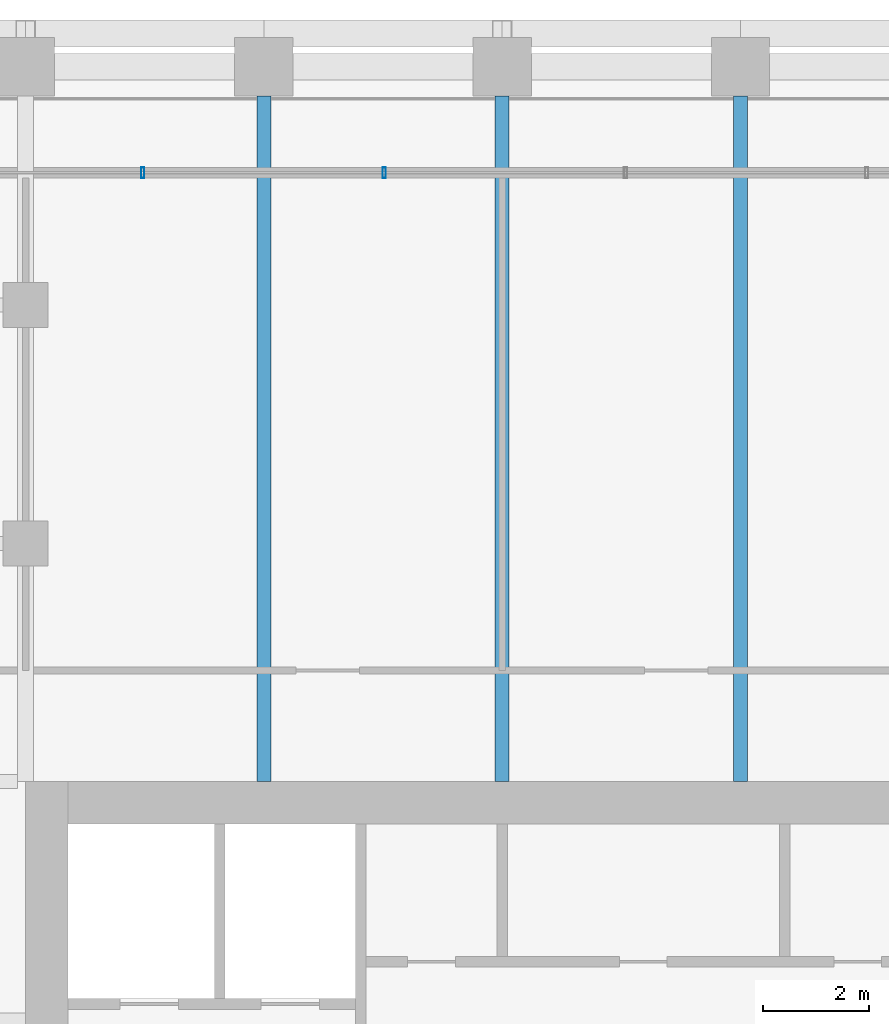
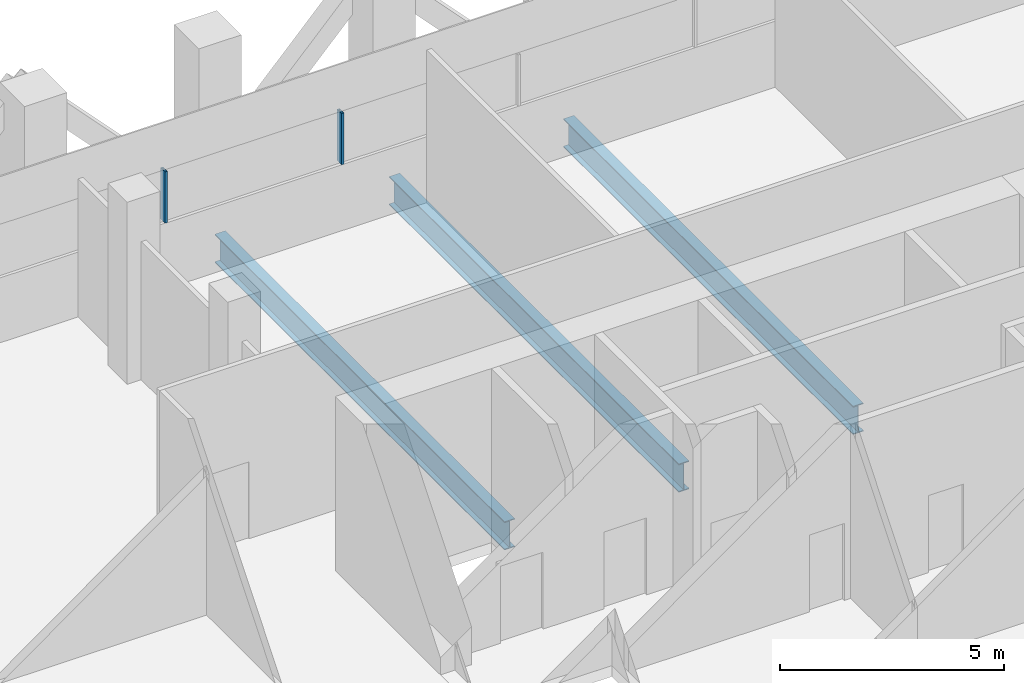
# One storey, part 19 of 44: 3 beams, 2 members, 1 element without a shape of its own.
"""IFC4 building model written with IfcOpenShell, lengths in metres."""

from ifc_helpers import new_model, si_unit, direction, frame, origin, origin_2d, place, context, subcontext, project, spatial, hollow_rectangle, i_section, extrude, material, material_profile, profile_set, type_object, element, aggregate, save


model = new_model("IFC4")

# Units and contexts
model_context = context("Model", 3, precision=1e-05, world=origin(), true_north=direction((0.0, 1.0)))
body_context = subcontext(model_context, "Body", "Model", "MODEL_VIEW")
ifc_project = project(units=[si_unit("LENGTHUNIT", "METRE"), si_unit("AREAUNIT", "SQUARE_METRE"), si_unit("VOLUMEUNIT", "CUBIC_METRE"), si_unit("PLANEANGLEUNIT", "RADIAN"), si_unit("MASSUNIT", "GRAM", prefix="KILO")], contexts=[model_context])

# Site, building, storey
site_placement = place(None, origin())
site = spatial("IfcSite", under=ifc_project, at=site_placement, CompositionType="ELEMENT")
building_placement = place(site_placement, origin())
building = spatial("IfcBuilding", under=site, at=building_placement, Name="Altepetl Exchange Towers", CompositionType="ELEMENT")
storey_placement = place(building_placement, frame((0.0, 0.0, 87.0)))
storey = spatial("IfcBuildingStorey", under=building, at=storey_placement, Name="L21 Refuge", CompositionType="ELEMENT", Elevation=87.0)

# Beams
ifc_material_1 = material(Name="Steel S355", Category="steel")
ifc_material_profile_1 = material_profile(ifc_material_1, i_section(OverallWidth=0.26806640625, OverallDepth=0.77392578125, WebThickness=0.015380859375, FlangeThickness=0.025390625, at=origin_2d()), Name="W30X132")
ifc_profile_set_1 = profile_set([ifc_material_profile_1], Name="Steel S355")
beam_type = type_object("IfcBeamType", Name="Floor beam W30X132", PredefinedType="BEAM", material=ifc_profile_set_1)
for number, where, z_axis, x_axis, name in (
    (1, (45.0, 58.5, -0.5869140625), (0.0, 1.0, 0.0), (-1.0, 0.0, 0.0), "bm:A:L21:000"),
    (2, (49.5, 58.5, -0.5869140625), (0.0, 1.0, 0.0), (-1.0, 0.0, 0.0), "bm:A:L21:001"),
    (3, (54.0, 58.5, -0.5869140625), (0.0, 1.0, 0.0), (-1.0, 0.0, 0.0), "bm:A:L21:002"),
):
    element("IfcBeam", number, at=place(storey_placement, frame(where, z_axis=z_axis, x_axis=x_axis)), inside=storey, type_object=beam_type, Name=name, PredefinedType="BEAM", context=body_context, shape_type="SweptSolid", body=[
        extrude(i_section(OverallWidth=0.26806640625, OverallDepth=0.77392578125, WebThickness=0.015380859375, FlangeThickness=0.025390625, at=origin_2d()), origin(), (0.0, 0.0, 1.0), 12.949951171875),
    ])

# Curtain wall, members
ifc_material_2 = material(Name="Aluminium 6063-T6 glazing", Category="aluminium")
curtain_wall_type = type_object("IfcCurtainWallType", Name="Refuge slit glazing system", PredefinedType="NOTDEFINED", material=ifc_material_2)
curtain_wall_placement = place(storey_placement, origin())
curtain_wall = element("IfcCurtainWall", 4, at=curtain_wall_placement, inside=storey, type_object=curtain_wall_type, Name="CW3 run", PredefinedType="NOTDEFINED")
ifc_material_3 = material(Name="Aluminium 6063-T6", Category="aluminium")
ifc_material_profile_2 = material_profile(ifc_material_3, hollow_rectangle(XDim=0.06005859375, YDim=0.199951171875, WallThickness=0.0029296875, at=origin_2d()), Name="Mullion 60x200 aluminium")
ifc_profile_set_2 = profile_set([ifc_material_profile_2], Name="Aluminium 6063-T6")
member_type = type_object("IfcMemberType", Name="Mullion 60x200 aluminium", PredefinedType="MULLION", material=ifc_profile_set_2)
member_1_placement = place(storey_placement, frame((47.271484375, 70.0, 1.800048828125), z_axis=(0.0, 0.0, 1.0), x_axis=(-1.0, 0.0, 0.0)))
member_1 = element("IfcMember", 5, at=member_1_placement, type_object=member_type, Name="MU2 mullion", PredefinedType="MULLION", context=body_context, shape_type="SweptSolid", body=[
    extrude(hollow_rectangle(XDim=0.06005859375, YDim=0.199951171875, WallThickness=0.0029296875, at=origin_2d()), origin(), (0.0, 0.0, 1.0), 1.39990234375),
])
member_2_placement = place(storey_placement, frame((42.71435546875, 70.0, 1.800048828125), z_axis=(0.0, 0.0, 1.0), x_axis=(-1.0, 0.0, 0.0)))
member_2 = element("IfcMember", 6, at=member_2_placement, type_object=member_type, Name="MU2 mullion", PredefinedType="MULLION", context=body_context, shape_type="SweptSolid", body=[
    extrude(hollow_rectangle(XDim=0.06005859375, YDim=0.199951171875, WallThickness=0.0029296875, at=origin_2d()), origin(), (0.0, 0.0, 1.0), 1.39990234375),
])
aggregate(curtain_wall, [member_1, member_2])

save(model, "model.ifc")
